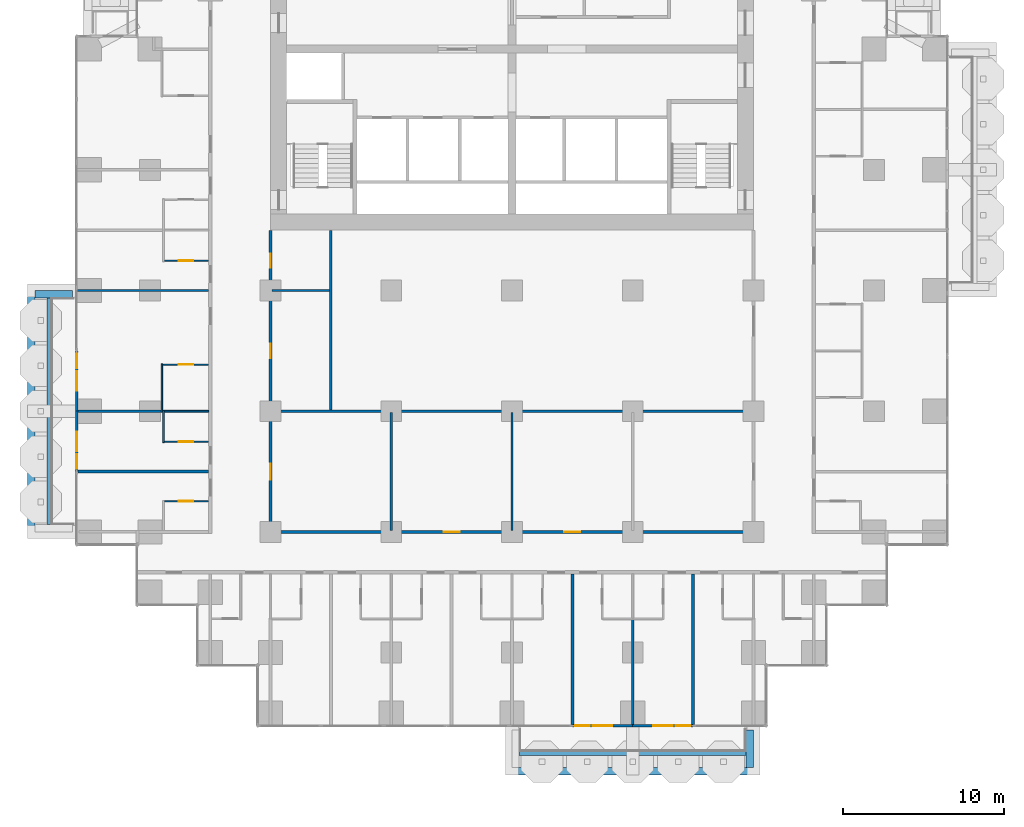
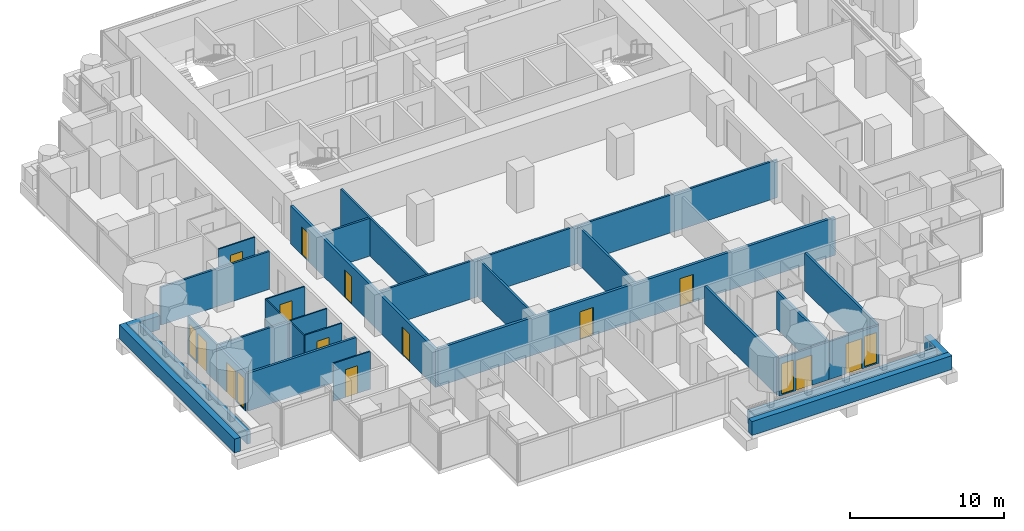
# One storey, part 12 of 19: 30 walls, 13 doors, 4 windows, 17 openings.
"""IFC4 building model written with IfcOpenShell, lengths in metres."""

from ifc_helpers import new_model, si_unit, direction, frame, frame_2d, origin, place, context, subcontext, project, spatial, rectangle, extrude, material, layer, layer_set, type_object, element, fill, save


model = new_model("IFC4")

# Units and contexts
model_context = context("Model", 3, precision=1e-05, world=origin(), true_north=direction((0.0, 1.0)))
body_context = subcontext(model_context, "Body", "Model", "MODEL_VIEW")
ifc_project = project(units=[si_unit("LENGTHUNIT", "METRE"), si_unit("AREAUNIT", "SQUARE_METRE"), si_unit("VOLUMEUNIT", "CUBIC_METRE"), si_unit("PLANEANGLEUNIT", "RADIAN"), si_unit("MASSUNIT", "GRAM", prefix="KILO")], contexts=[model_context])

# Site, building, storey
site_placement = place(None, origin())
site = spatial("IfcSite", under=ifc_project, at=site_placement, CompositionType="ELEMENT")
building_placement = place(site_placement, origin())
building = spatial("IfcBuilding", under=site, at=building_placement, Name="Pilkhan Gate Tower", CompositionType="ELEMENT")
storey_placement = place(building_placement, frame((0.0, 0.0, 65.89990234375)))
storey = spatial("IfcBuildingStorey", under=building, at=storey_placement, Name="L14", CompositionType="ELEMENT", Elevation=65.89990234375)

# Walls
ifc_material_1 = material(Name="Dense blockwork", Category="masonry")
ifc_layer_1 = layer(ifc_material_1, 0.175048828125)
ifc_layer_set_1 = layer_set([ifc_layer_1], Name="Acoustic party wall PW175")
wall_type_1 = type_object("IfcWallType", Name="Acoustic party wall PW175", PredefinedType="PARTITIONING", material=ifc_layer_set_1)
wall_1_placement = place(storey_placement, frame((48.0400390625, 56.25, 0.0), z_axis=(0.0, 0.0, 1.0), x_axis=(1.0, 0.0, 0.0)))
element("IfcWall", 1, at=wall_1_placement, inside=storey, type_object=wall_type_1, Name="Partition L14", PredefinedType="PARTITIONING", context=body_context, shape_type="SweptSolid", body=[
    extrude(rectangle(XDim=8.10986328125, YDim=0.175048828125, at=frame_2d((4.054931640625, 0.0))), origin(), (0.0, 0.0, 1.0), 3.0),
])
wall_2_placement = place(storey_placement, frame((78.75, 40.5400390625, 0.0), z_axis=(0.0, 0.0, 1.0), x_axis=(0.0, 1.0, 0.0)))
element("IfcWall", 2, at=wall_2_placement, inside=storey, type_object=wall_type_1, Name="Partition L14", PredefinedType="PARTITIONING", context=body_context, shape_type="SweptSolid", body=[
    extrude(rectangle(XDim=9.35986328125, YDim=0.175048828125, at=frame_2d((4.679931640625, 0.0))), origin(), (0.0, 0.0, 1.0), 3.0),
])
wall_3_placement = place(storey_placement, frame((82.5, 40.5400390625, 0.0), z_axis=(0.0, 0.0, 1.0), x_axis=(0.0, 1.0, 0.0)))
element("IfcWall", 3, at=wall_3_placement, inside=storey, type_object=wall_type_1, Name="Partition L14", PredefinedType="PARTITIONING", context=body_context, shape_type="SweptSolid", body=[
    extrude(rectangle(XDim=6.510009765625, YDim=0.175048828125, at=frame_2d((3.2548828125, 0.0))), origin(), (0.0, 0.0, 1.0), 3.0),
])
wall_4_placement = place(storey_placement, frame((86.25, 40.5400390625, 0.0), z_axis=(0.0, 0.0, 1.0), x_axis=(0.0, 1.0, 0.0)))
element("IfcWall", 4, at=wall_4_placement, inside=storey, type_object=wall_type_1, Name="Partition L14", PredefinedType="PARTITIONING", context=body_context, shape_type="SweptSolid", body=[
    extrude(rectangle(XDim=9.35986328125, YDim=0.175048828125, at=frame_2d((4.679931640625, 0.0))), origin(), (0.0, 0.0, 1.0), 3.0),
])
ifc_material_2 = material(Name="Concrete C40/50", Category="concrete")
ifc_layer_2 = layer(ifc_material_2, 0.25)
ifc_layer_set_2 = layer_set([ifc_layer_2], Name="Balcony planter BP250")
wall_type_2 = type_object("IfcWallType", Name="Balcony planter BP250", PredefinedType="USERDEFINED", material=ifc_layer_set_2)
for number, where, z_axis, x_axis, name in (
    (5, (75.449951171875, 38.72509765625, 0.0), (0.0, 0.0, 1.0), (1.0, 0.0, 0.0), "Balcony planter L14 S"),
    (6, (46.22509765625, 52.949951171875, 0.0), (0.0, 0.0, 1.0), (0.0, 1.0, 0.0), "Balcony planter L14 W"),
):
    element("IfcWall", number, at=place(storey_placement, frame(where, z_axis=z_axis, x_axis=x_axis)), inside=storey, type_object=wall_type_2, Name=name, ObjectType="BALCONY PLANTER", PredefinedType="USERDEFINED", context=body_context, shape_type="SweptSolid", body=[
        extrude(rectangle(XDim=14.10009765625, YDim=0.25, at=frame_2d((7.050048828125, 0.0))), origin(), (0.0, 0.0, 1.0), 1.0),
    ])
ifc_material_3 = material(Name="Board-marked Concrete C40/50", Category="concrete")
ifc_layer_3 = layer(ifc_material_3, 0.449951171875)
ifc_layer_set_3 = layer_set([ifc_layer_3], Name="Balcony planter lip BL450")
wall_type_3 = type_object("IfcWallType", Name="Balcony planter lip BL450", PredefinedType="USERDEFINED", material=ifc_layer_set_3)
wall_5_placement = place(storey_placement, frame((75.0, 37.625, 0.0), z_axis=(0.0, 0.0, 1.0), x_axis=(1.0, 0.0, 0.0)))
element("IfcWall", 7, at=wall_5_placement, inside=storey, type_object=wall_type_3, Name="Balcony planter L14 S", ObjectType="BALCONY PLANTER", PredefinedType="USERDEFINED", context=body_context, shape_type="SweptSolid", body=[
    extrude(rectangle(XDim=15.0, YDim=0.449951171875, at=frame_2d((7.5, 0.0))), origin(), (0.0, 0.0, 1.0), 1.10009765625),
])
wall_6_placement = place(storey_placement, frame((89.77490234375, 40.199951171875, 0.0), z_axis=(0.0, 0.0, 1.0), x_axis=(0.0, -1.0, 0.0)))
element("IfcWall", 8, at=wall_6_placement, inside=storey, type_object=wall_type_3, Name="Balcony planter L14 S", ObjectType="BALCONY PLANTER", PredefinedType="USERDEFINED", context=body_context, shape_type="SweptSolid", body=[
    extrude(rectangle(XDim=2.349853515625, YDim=0.449951171875, at=frame_2d((1.1748046875, 0.0))), origin(), (0.0, 0.0, 1.0), 1.10009765625),
])
wall_7_placement = place(storey_placement, frame((45.125, 52.5, 0.0), z_axis=(0.0, 0.0, 1.0), x_axis=(0.0, 1.0, 0.0)))
element("IfcWall", 9, at=wall_7_placement, inside=storey, type_object=wall_type_3, Name="Balcony planter L14 W", ObjectType="BALCONY PLANTER", PredefinedType="USERDEFINED", context=body_context, shape_type="SweptSolid", body=[
    extrude(rectangle(XDim=15.0, YDim=0.449951171875, at=frame_2d((7.5, 0.0))), origin(), (0.0, 0.0, 1.0), 1.10009765625),
])
wall_8_placement = place(storey_placement, frame((47.699951171875, 67.27490234375, 0.0), z_axis=(0.0, 0.0, 1.0), x_axis=(-1.0, 0.0, 0.0)))
element("IfcWall", 10, at=wall_8_placement, inside=storey, type_object=wall_type_3, Name="Balcony planter L14 W", ObjectType="BALCONY PLANTER", PredefinedType="USERDEFINED", context=body_context, shape_type="SweptSolid", body=[
    extrude(rectangle(XDim=2.349853515625, YDim=0.449951171875, at=frame_2d((1.1748046875, 0.0))), origin(), (0.0, 0.0, 1.0), 1.10009765625),
])

# Wall, openings, doors
ifc_layer_4 = layer(ifc_material_1, 0.199951171875)
ifc_layer_set_4 = layer_set([ifc_layer_4], Name="Corridor wall FW200")
wall_type_4 = type_object("IfcWallType", Name="Corridor wall FW200", PredefinedType="PARTITIONING", material=ifc_layer_set_4)
wall_9_placement = place(storey_placement, frame((60.10009765625, 52.5, 0.0), z_axis=(0.0, 0.0, 1.0), x_axis=(1.0, 0.0, 0.0)))
wall_9 = element("IfcWall", 11, at=wall_9_placement, inside=storey, type_object=wall_type_4, Name="Partition L14", PredefinedType="PARTITIONING", context=body_context, shape_type="SweptSolid", body=[
    extrude(rectangle(XDim=29.7998046875, YDim=0.199951171875, at=frame_2d((14.89990234375, 0.0))), origin(), (0.0, 0.0, 1.0), 3.0),
])
opening_1_placement = place(wall_9_placement, frame((10.64990234375, 0.0, 0.0)))
opening_1 = element("IfcOpeningElement", 12, at=opening_1_placement, cuts=wall_9, Name="Opening L14-59", PredefinedType="OPENING", context=body_context, shape_type="SweptSolid", body=[
    extrude(rectangle(XDim=1.0, YDim=2.199951171875, at=frame_2d((0.5, 1.10009765625))), frame((0.0, 0.10986328125, 0.0), z_axis=(0.0, -1.0, 0.0), x_axis=(1.0, 0.0, 0.0)), (0.0, 0.0, 1.0), 0.219970703125),
])
opening_2_placement = place(wall_9_placement, frame((18.14990234375, 0.0, 0.0)))
opening_2 = element("IfcOpeningElement", 13, at=opening_2_placement, cuts=wall_9, Name="Opening L14-60", PredefinedType="OPENING", context=body_context, shape_type="SweptSolid", body=[
    extrude(rectangle(XDim=1.0, YDim=2.199951171875, at=frame_2d((0.5, 1.10009765625))), frame((0.0, 0.10986328125, 0.0), z_axis=(0.0, -1.0, 0.0), x_axis=(1.0, 0.0, 0.0)), (0.0, 0.0, 1.0), 0.219970703125),
])
ifc_material_4 = material(Name="Timber flush door, 30 minute fire resisting", Category="wood")
door_type_1 = type_object("IfcDoorType", Name="Room door D03 1000x2200", OperationType="SINGLE_SWING_LEFT", PredefinedType="DOOR", material=ifc_material_4)
door_1_placement = place(opening_1_placement, origin())
door_1 = element("IfcDoor", 14, at=door_1_placement, inside=storey, type_object=door_type_1, Name="Room door", OperationType="SINGLE_SWING_LEFT", OverallHeight=2.199951171875, OverallWidth=1.0, PredefinedType="DOOR", context=body_context, shape_type="SweptSolid", body=[
    extrude(rectangle(XDim=1.0, YDim=2.199951171875, at=frame_2d((0.5, 1.10009765625))), frame((0.0, 0.02490234375, 0.0), z_axis=(0.0, -1.0, 0.0), x_axis=(1.0, 0.0, 0.0)), (0.0, 0.0, 1.0), 0.050048828125),
])
fill(opening_1, door_1)
door_2_placement = place(opening_2_placement, origin())
door_2 = element("IfcDoor", 15, at=door_2_placement, inside=storey, type_object=door_type_1, Name="Room door", OperationType="SINGLE_SWING_RIGHT", OverallHeight=2.199951171875, OverallWidth=1.0, PredefinedType="DOOR", context=body_context, shape_type="SweptSolid", body=[
    extrude(rectangle(XDim=1.0, YDim=2.199951171875, at=frame_2d((0.5, 1.10009765625))), frame((0.0, 0.02490234375, 0.0), z_axis=(0.0, -1.0, 0.0), x_axis=(1.0, 0.0, 0.0)), (0.0, 0.0, 1.0), 0.050048828125),
])
fill(opening_2, door_2)

wall_10_placement = place(storey_placement, frame((60.0, 52.39990234375, 0.0), z_axis=(0.0, 0.0, 1.0), x_axis=(0.0, 1.0, 0.0)))
wall_10 = element("IfcWall", 16, at=wall_10_placement, inside=storey, type_object=wall_type_4, Name="Partition L14", PredefinedType="PARTITIONING", context=body_context, shape_type="SweptSolid", body=[
    extrude(rectangle(XDim=18.840087890625, YDim=0.199951171875, at=frame_2d((9.419921875, 0.0))), origin(), (0.0, 0.0, 1.0), 3.0),
])
opening_3_placement = place(wall_10_placement, frame((3.35009765625, 0.0, 0.0)))
opening_3 = element("IfcOpeningElement", 17, at=opening_3_placement, cuts=wall_10, Name="Opening L14-58", PredefinedType="OPENING", context=body_context, shape_type="SweptSolid", body=[
    extrude(rectangle(XDim=1.0, YDim=2.199951171875, at=frame_2d((0.5, 1.10009765625))), frame((0.0, 0.10986328125, 0.0), z_axis=(0.0, -1.0, 0.0), x_axis=(1.0, 0.0, 0.0)), (0.0, 0.0, 1.0), 0.219970703125),
])
opening_4_placement = place(wall_10_placement, frame((10.89990234375, 0.0, 0.0)))
opening_4 = element("IfcOpeningElement", 18, at=opening_4_placement, cuts=wall_10, Name="Opening L14-62", PredefinedType="OPENING", context=body_context, shape_type="SweptSolid", body=[
    extrude(rectangle(XDim=0.89990234375, YDim=2.199951171875, at=frame_2d((0.449951171875, 1.10009765625))), frame((0.0, 0.10986328125, 0.0), z_axis=(0.0, -1.0, 0.0), x_axis=(1.0, 0.0, 0.0)), (0.0, 0.0, 1.0), 0.219970703125),
])
opening_5_placement = place(wall_10_placement, frame((16.5, 0.0, 0.0)))
opening_5 = element("IfcOpeningElement", 19, at=opening_5_placement, cuts=wall_10, Name="Opening L14-63", PredefinedType="OPENING", context=body_context, shape_type="SweptSolid", body=[
    extrude(rectangle(XDim=0.89990234375, YDim=2.199951171875, at=frame_2d((0.449951171875, 1.10009765625))), frame((0.0, 0.10986328125, 0.0), z_axis=(0.0, -1.0, 0.0), x_axis=(1.0, 0.0, 0.0)), (0.0, 0.0, 1.0), 0.219970703125),
])
door_3_placement = place(opening_3_placement, origin())
door_3 = element("IfcDoor", 20, at=door_3_placement, inside=storey, type_object=door_type_1, Name="Room door", OperationType="SINGLE_SWING_LEFT", OverallHeight=2.199951171875, OverallWidth=1.0, PredefinedType="DOOR", context=body_context, shape_type="SweptSolid", body=[
    extrude(rectangle(XDim=1.0, YDim=2.199951171875, at=frame_2d((0.5, 1.10009765625))), frame((0.0, 0.02490234375, 0.0), z_axis=(0.0, -1.0, 0.0), x_axis=(1.0, 0.0, 0.0)), (0.0, 0.0, 1.0), 0.050048828125),
])
fill(opening_3, door_3)
ifc_material_5 = material(Name="Timber flush door, 60 minute fire resisting, self-closing", Category="wood")
door_type_2 = type_object("IfcDoorType", Name="Store door D05 900x2200", OperationType="SINGLE_SWING_LEFT", PredefinedType="DOOR", material=ifc_material_5)
door_4_placement = place(opening_4_placement, origin())
door_4 = element("IfcDoor", 21, at=door_4_placement, inside=storey, type_object=door_type_2, Name="Store door", OperationType="SINGLE_SWING_LEFT", OverallHeight=2.199951171875, OverallWidth=0.89990234375, PredefinedType="DOOR", context=body_context, shape_type="SweptSolid", body=[
    extrude(rectangle(XDim=0.89990234375, YDim=2.199951171875, at=frame_2d((0.449951171875, 1.10009765625))), frame((0.0, 0.02490234375, 0.0), z_axis=(0.0, -1.0, 0.0), x_axis=(1.0, 0.0, 0.0)), (0.0, 0.0, 1.0), 0.050048828125),
])
fill(opening_4, door_4)
door_5_placement = place(opening_5_placement, origin())
door_5 = element("IfcDoor", 22, at=door_5_placement, inside=storey, type_object=door_type_2, Name="Store door", OperationType="SINGLE_SWING_LEFT", OverallHeight=2.199951171875, OverallWidth=0.89990234375, PredefinedType="DOOR", context=body_context, shape_type="SweptSolid", body=[
    extrude(rectangle(XDim=0.89990234375, YDim=2.199951171875, at=frame_2d((0.449951171875, 1.10009765625))), frame((0.0, 0.02490234375, 0.0), z_axis=(0.0, -1.0, 0.0), x_axis=(1.0, 0.0, 0.0)), (0.0, 0.0, 1.0), 0.050048828125),
])
fill(opening_5, door_5)

# Wall, openings, door, window
ifc_material_6 = material(Name="Pale anodised aluminium, clear laminated glazing", Category="aluminium")
ifc_layer_5 = layer(ifc_material_6, 0.14990234375)
ifc_layer_set_5 = layer_set([ifc_layer_5], Name="Facade infill wall IW150")
wall_type_5 = type_object("IfcWallType", Name="Facade infill wall IW150", PredefinedType="SOLIDWALL", material=ifc_layer_set_5)
wall_11_placement = place(storey_placement, frame((47.955078125, 56.25, 0.0), z_axis=(0.0, 0.0, 1.0), x_axis=(0.0, 1.0, 0.0)))
wall_11 = element("IfcWall", 23, at=wall_11_placement, inside=storey, type_object=wall_type_5, Name="Infill wall L14 W", PredefinedType="SOLIDWALL", context=body_context, shape_type="SweptSolid", body=[
    extrude(rectangle(XDim=3.75, YDim=0.14990234375, at=frame_2d((1.875, 0.0))), origin(), (0.0, 0.0, 1.0), 3.0),
])
opening_6_placement = place(wall_11_placement, frame((0.1875, 0.0, 0.10009765625)))
opening_6 = element("IfcOpeningElement", 24, at=opening_6_placement, cuts=wall_11, Name="Opening W1", PredefinedType="OPENING", context=body_context, shape_type="SweptSolid", body=[
    extrude(rectangle(XDim=0.89990234375, YDim=2.39990234375, at=frame_2d((0.449951171875, 1.199951171875))), frame((0.0, 0.0849609375, 0.0), z_axis=(0.0, -1.0, 0.0), x_axis=(1.0, 0.0, 0.0)), (0.0, 0.0, 1.0), 0.169921875),
])
opening_7_placement = place(wall_11_placement, frame((1.27490234375, 0.0, 0.0)))
opening_7 = element("IfcOpeningElement", 25, at=opening_7_placement, cuts=wall_11, Name="Opening D1", PredefinedType="OPENING", context=body_context, shape_type="SweptSolid", body=[
    extrude(rectangle(XDim=1.199951171875, YDim=2.39990234375, at=frame_2d((0.60009765625, 1.199951171875))), frame((0.0, 0.0849609375, 0.0), z_axis=(0.0, -1.0, 0.0), x_axis=(1.0, 0.0, 0.0)), (0.0, 0.0, 1.0), 0.169921875),
])
ifc_material_7 = material(Name="Pale anodised aluminium, clear glazing", Category="aluminium")
door_type_3 = type_object("IfcDoorType", Name="Balcony door D1 1200x2400", OperationType="SINGLE_SWING_LEFT", PredefinedType="DOOR", material=ifc_material_7)
door_6_placement = place(opening_7_placement, origin())
door_6 = element("IfcDoor", 26, at=door_6_placement, inside=storey, type_object=door_type_3, Name="Balcony door L14", OperationType="SINGLE_SWING_LEFT", OverallHeight=2.39990234375, OverallWidth=1.199951171875, PredefinedType="DOOR", context=body_context, shape_type="SweptSolid", body=[
    extrude(rectangle(XDim=1.199951171875, YDim=2.39990234375, at=frame_2d((0.60009765625, 1.199951171875))), frame((0.0, 0.02490234375, 0.0), z_axis=(0.0, -1.0, 0.0), x_axis=(1.0, 0.0, 0.0)), (0.0, 0.0, 1.0), 0.050048828125),
])
fill(opening_7, door_6)
ifc_material_8 = material(Name="Pale anodised aluminium, clear double glazing", Category="aluminium")
window_type = type_object("IfcWindowType", Name="Window W1 900x2400", PartitioningType="SINGLE_PANEL", PredefinedType="WINDOW", material=ifc_material_8)
window_1_placement = place(opening_6_placement, origin())
window_1 = element("IfcWindow", 27, at=window_1_placement, inside=storey, type_object=window_type, Name="Window L14", OverallHeight=2.39990234375, OverallWidth=0.89990234375, PartitioningType="SINGLE_PANEL", PredefinedType="WINDOW", context=body_context, shape_type="SweptSolid", body=[
    extrude(rectangle(XDim=0.89990234375, YDim=2.39990234375, at=frame_2d((0.449951171875, 1.199951171875))), frame((0.0, 0.030029296875, 0.0), z_axis=(0.0, -1.0, 0.0), x_axis=(1.0, 0.0, 0.0)), (0.0, 0.0, 1.0), 0.06005859375),
])
fill(opening_6, window_1)

wall_12_placement = place(storey_placement, frame((47.955078125, 60.0, 0.0), z_axis=(0.0, 0.0, 1.0), x_axis=(0.0, 1.0, 0.0)))
wall_12 = element("IfcWall", 28, at=wall_12_placement, inside=storey, type_object=wall_type_5, Name="Infill wall L14 W", PredefinedType="SOLIDWALL", context=body_context, shape_type="SweptSolid", body=[
    extrude(rectangle(XDim=3.75, YDim=0.14990234375, at=frame_2d((1.875, 0.0))), origin(), (0.0, 0.0, 1.0), 3.0),
])
opening_8_placement = place(wall_12_placement, frame((1.27490234375, 0.0, 0.0)))
opening_8 = element("IfcOpeningElement", 29, at=opening_8_placement, cuts=wall_12, Name="Opening D1", PredefinedType="OPENING", context=body_context, shape_type="SweptSolid", body=[
    extrude(rectangle(XDim=1.199951171875, YDim=2.39990234375, at=frame_2d((0.60009765625, 1.199951171875))), frame((0.0, 0.0849609375, 0.0), z_axis=(0.0, -1.0, 0.0), x_axis=(1.0, 0.0, 0.0)), (0.0, 0.0, 1.0), 0.169921875),
])
opening_9_placement = place(wall_12_placement, frame((2.66259765625, 0.0, 0.10009765625)))
opening_9 = element("IfcOpeningElement", 30, at=opening_9_placement, cuts=wall_12, Name="Opening W1", PredefinedType="OPENING", context=body_context, shape_type="SweptSolid", body=[
    extrude(rectangle(XDim=0.89990234375, YDim=2.39990234375, at=frame_2d((0.449951171875, 1.199951171875))), frame((0.0, 0.0849609375, 0.0), z_axis=(0.0, -1.0, 0.0), x_axis=(1.0, 0.0, 0.0)), (0.0, 0.0, 1.0), 0.169921875),
])
door_7_placement = place(opening_8_placement, origin())
door_7 = element("IfcDoor", 31, at=door_7_placement, inside=storey, type_object=door_type_3, Name="Balcony door L14", OperationType="SINGLE_SWING_LEFT", OverallHeight=2.39990234375, OverallWidth=1.199951171875, PredefinedType="DOOR", context=body_context, shape_type="SweptSolid", body=[
    extrude(rectangle(XDim=1.199951171875, YDim=2.39990234375, at=frame_2d((0.60009765625, 1.199951171875))), frame((0.0, 0.02490234375, 0.0), z_axis=(0.0, -1.0, 0.0), x_axis=(1.0, 0.0, 0.0)), (0.0, 0.0, 1.0), 0.050048828125),
])
fill(opening_8, door_7)
window_2_placement = place(opening_9_placement, origin())
window_2 = element("IfcWindow", 32, at=window_2_placement, inside=storey, type_object=window_type, Name="Window L14", OverallHeight=2.39990234375, OverallWidth=0.89990234375, PartitioningType="SINGLE_PANEL", PredefinedType="WINDOW", context=body_context, shape_type="SweptSolid", body=[
    extrude(rectangle(XDim=0.89990234375, YDim=2.39990234375, at=frame_2d((0.449951171875, 1.199951171875))), frame((0.0, 0.030029296875, 0.0), z_axis=(0.0, -1.0, 0.0), x_axis=(1.0, 0.0, 0.0)), (0.0, 0.0, 1.0), 0.06005859375),
])
fill(opening_9, window_2)

wall_13_placement = place(storey_placement, frame((78.75, 40.455078125, 0.0), z_axis=(0.0, 0.0, 1.0), x_axis=(1.0, 0.0, 0.0)))
wall_13 = element("IfcWall", 33, at=wall_13_placement, inside=storey, type_object=wall_type_5, Name="Infill wall L14 S", PredefinedType="SOLIDWALL", context=body_context, shape_type="SweptSolid", body=[
    extrude(rectangle(XDim=3.75, YDim=0.14990234375, at=frame_2d((1.875, 0.0))), origin(), (0.0, 0.0, 1.0), 3.0),
])
opening_10_placement = place(wall_13_placement, frame((0.1875, 0.0, 0.10009765625)))
opening_10 = element("IfcOpeningElement", 34, at=opening_10_placement, cuts=wall_13, Name="Opening W1", PredefinedType="OPENING", context=body_context, shape_type="SweptSolid", body=[
    extrude(rectangle(XDim=0.89990234375, YDim=2.39990234375, at=frame_2d((0.449951171875, 1.199951171875))), frame((0.0, 0.0849609375, 0.0), z_axis=(0.0, -1.0, 0.0), x_axis=(1.0, 0.0, 0.0)), (0.0, 0.0, 1.0), 0.169921875),
])
opening_11_placement = place(wall_13_placement, frame((1.27490234375, 0.0, 0.0)))
opening_11 = element("IfcOpeningElement", 35, at=opening_11_placement, cuts=wall_13, Name="Opening D1", PredefinedType="OPENING", context=body_context, shape_type="SweptSolid", body=[
    extrude(rectangle(XDim=1.199951171875, YDim=2.39990234375, at=frame_2d((0.60009765625, 1.199951171875))), frame((0.0, 0.0849609375, 0.0), z_axis=(0.0, -1.0, 0.0), x_axis=(1.0, 0.0, 0.0)), (0.0, 0.0, 1.0), 0.169921875),
])
door_8_placement = place(opening_11_placement, origin())
door_8 = element("IfcDoor", 36, at=door_8_placement, inside=storey, type_object=door_type_3, Name="Balcony door L14", OperationType="SINGLE_SWING_LEFT", OverallHeight=2.39990234375, OverallWidth=1.199951171875, PredefinedType="DOOR", context=body_context, shape_type="SweptSolid", body=[
    extrude(rectangle(XDim=1.199951171875, YDim=2.39990234375, at=frame_2d((0.60009765625, 1.199951171875))), frame((0.0, 0.02490234375, 0.0), z_axis=(0.0, -1.0, 0.0), x_axis=(1.0, 0.0, 0.0)), (0.0, 0.0, 1.0), 0.050048828125),
])
fill(opening_11, door_8)
window_3_placement = place(opening_10_placement, origin())
window_3 = element("IfcWindow", 37, at=window_3_placement, inside=storey, type_object=window_type, Name="Window L14", OverallHeight=2.39990234375, OverallWidth=0.89990234375, PartitioningType="SINGLE_PANEL", PredefinedType="WINDOW", context=body_context, shape_type="SweptSolid", body=[
    extrude(rectangle(XDim=0.89990234375, YDim=2.39990234375, at=frame_2d((0.449951171875, 1.199951171875))), frame((0.0, 0.030029296875, 0.0), z_axis=(0.0, -1.0, 0.0), x_axis=(1.0, 0.0, 0.0)), (0.0, 0.0, 1.0), 0.06005859375),
])
fill(opening_10, window_3)

wall_14_placement = place(storey_placement, frame((82.5, 40.455078125, 0.0), z_axis=(0.0, 0.0, 1.0), x_axis=(1.0, 0.0, 0.0)))
wall_14 = element("IfcWall", 38, at=wall_14_placement, inside=storey, type_object=wall_type_5, Name="Infill wall L14 S", PredefinedType="SOLIDWALL", context=body_context, shape_type="SweptSolid", body=[
    extrude(rectangle(XDim=3.75, YDim=0.14990234375, at=frame_2d((1.875, 0.0))), origin(), (0.0, 0.0, 1.0), 3.0),
])
opening_12_placement = place(wall_14_placement, frame((1.27490234375, 0.0, 0.0)))
opening_12 = element("IfcOpeningElement", 39, at=opening_12_placement, cuts=wall_14, Name="Opening D1", PredefinedType="OPENING", context=body_context, shape_type="SweptSolid", body=[
    extrude(rectangle(XDim=1.199951171875, YDim=2.39990234375, at=frame_2d((0.60009765625, 1.199951171875))), frame((0.0, 0.0849609375, 0.0), z_axis=(0.0, -1.0, 0.0), x_axis=(1.0, 0.0, 0.0)), (0.0, 0.0, 1.0), 0.169921875),
])
opening_13_placement = place(wall_14_placement, frame((2.66259765625, 0.0, 0.10009765625)))
opening_13 = element("IfcOpeningElement", 40, at=opening_13_placement, cuts=wall_14, Name="Opening W1", PredefinedType="OPENING", context=body_context, shape_type="SweptSolid", body=[
    extrude(rectangle(XDim=0.89990234375, YDim=2.39990234375, at=frame_2d((0.449951171875, 1.199951171875))), frame((0.0, 0.0849609375, 0.0), z_axis=(0.0, -1.0, 0.0), x_axis=(1.0, 0.0, 0.0)), (0.0, 0.0, 1.0), 0.169921875),
])
door_9_placement = place(opening_12_placement, origin())
door_9 = element("IfcDoor", 41, at=door_9_placement, inside=storey, type_object=door_type_3, Name="Balcony door L14", OperationType="SINGLE_SWING_LEFT", OverallHeight=2.39990234375, OverallWidth=1.199951171875, PredefinedType="DOOR", context=body_context, shape_type="SweptSolid", body=[
    extrude(rectangle(XDim=1.199951171875, YDim=2.39990234375, at=frame_2d((0.60009765625, 1.199951171875))), frame((0.0, 0.02490234375, 0.0), z_axis=(0.0, -1.0, 0.0), x_axis=(1.0, 0.0, 0.0)), (0.0, 0.0, 1.0), 0.050048828125),
])
fill(opening_12, door_9)
window_4_placement = place(opening_13_placement, origin())
window_4 = element("IfcWindow", 42, at=window_4_placement, inside=storey, type_object=window_type, Name="Window L14", OverallHeight=2.39990234375, OverallWidth=0.89990234375, PartitioningType="SINGLE_PANEL", PredefinedType="WINDOW", context=body_context, shape_type="SweptSolid", body=[
    extrude(rectangle(XDim=0.89990234375, YDim=2.39990234375, at=frame_2d((0.449951171875, 1.199951171875))), frame((0.0, 0.030029296875, 0.0), z_axis=(0.0, -1.0, 0.0), x_axis=(1.0, 0.0, 0.0)), (0.0, 0.0, 1.0), 0.06005859375),
])
fill(opening_13, window_4)

# Walls
ifc_material_9 = material(Name="Blockwork partition, plastered both sides", Category="masonry")
ifc_layer_6 = layer(ifc_material_9, 0.14990234375)
ifc_layer_set_6 = layer_set([ifc_layer_6], Name="Partition PW150")
wall_type_6 = type_object("IfcWallType", Name="Partition PW150", PredefinedType="PARTITIONING", material=ifc_layer_set_6)
wall_15_placement = place(storey_placement, frame((48.0400390625, 60.0, 0.0), z_axis=(0.0, 0.0, 1.0), x_axis=(1.0, 0.0, 0.0)))
element("IfcWall", 43, at=wall_15_placement, inside=storey, type_object=wall_type_6, Name="Partition L14", PredefinedType="PARTITIONING", context=body_context, shape_type="SweptSolid", body=[
    extrude(rectangle(XDim=5.159912109375, YDim=0.14990234375, at=frame_2d((2.580078125, 0.0))), origin(), (0.0, 0.0, 1.0), 3.0),
])
wall_16_placement = place(storey_placement, frame((60.10009765625, 60.0, 0.0), z_axis=(0.0, 0.0, 1.0), x_axis=(1.0, 0.0, 0.0)))
element("IfcWall", 44, at=wall_16_placement, inside=storey, type_object=wall_type_6, Name="Partition L14", PredefinedType="PARTITIONING", context=body_context, shape_type="SweptSolid", body=[
    extrude(rectangle(XDim=29.7998046875, YDim=0.14990234375, at=frame_2d((14.89990234375, 0.0))), origin(), (0.0, 0.0, 1.0), 3.0),
])
wall_17_placement = place(storey_placement, frame((47.985107421875, 67.5, 0.0), z_axis=(0.0, 0.0, 1.0), x_axis=(1.0, 0.0, 0.0)))
element("IfcWall", 45, at=wall_17_placement, inside=storey, type_object=wall_type_6, Name="Partition L14", PredefinedType="PARTITIONING", context=body_context, shape_type="SweptSolid", body=[
    extrude(rectangle(XDim=8.164794921875, YDim=0.14990234375, at=frame_2d((4.08251953125, 0.0))), origin(), (0.0, 0.0, 1.0), 3.0),
])
wall_18_placement = place(storey_placement, frame((60.10009765625, 67.5, 0.0), z_axis=(0.0, 0.0, 1.0), x_axis=(1.0, 0.0, 0.0)))
element("IfcWall", 46, at=wall_18_placement, inside=storey, type_object=wall_type_6, Name="Partition L14", PredefinedType="PARTITIONING", context=body_context, shape_type="SweptSolid", body=[
    extrude(rectangle(XDim=3.574951171875, YDim=0.14990234375, at=frame_2d((1.78759765625, 0.0))), origin(), (0.0, 0.0, 1.0), 3.0),
])
wall_19_placement = place(storey_placement, frame((63.75, 60.074951171875, 0.0), z_axis=(0.0, 0.0, 1.0), x_axis=(0.0, 1.0, 0.0)))
element("IfcWall", 47, at=wall_19_placement, inside=storey, type_object=wall_type_6, Name="Partition L14", PredefinedType="PARTITIONING", context=body_context, shape_type="SweptSolid", body=[
    extrude(rectangle(XDim=11.1650390625, YDim=0.14990234375, at=frame_2d((5.58251953125, 0.0))), origin(), (0.0, 0.0, 1.0), 3.0),
])
for number, where, z_axis, x_axis, name in (
    (48, (67.5, 52.60009765625, 0.0), (0.0, 0.0, 1.0), (0.0, 1.0, 0.0), "Partition L14"),
    (49, (75.0, 52.60009765625, 0.0), (0.0, 0.0, 1.0), (0.0, 1.0, 0.0), "Partition L14"),
):
    element("IfcWall", number, at=place(storey_placement, frame(where, z_axis=z_axis, x_axis=x_axis)), inside=storey, type_object=wall_type_6, Name=name, PredefinedType="PARTITIONING", context=body_context, shape_type="SweptSolid", body=[
        extrude(rectangle(XDim=7.324951171875, YDim=0.14990234375, at=frame_2d((3.66259765625, 0.0))), origin(), (0.0, 0.0, 1.0), 3.0),
    ])

# Wall, opening, door
ifc_material_10 = material(Name="Moisture resistant board, tiled")
ifc_layer_7 = layer(ifc_material_10, 0.10009765625)
ifc_layer_set_7 = layer_set([ifc_layer_7], Name="Wet wall PW100")
wall_type_7 = type_object("IfcWallType", Name="Wet wall PW100", PredefinedType="PARTITIONING", material=ifc_layer_set_7)
wall_20_placement = place(storey_placement, frame((53.39990234375, 54.39990234375, 0.0), z_axis=(0.0, 0.0, 1.0), x_axis=(1.0, 0.0, 0.0)))
wall_20 = element("IfcWall", 50, at=wall_20_placement, inside=storey, type_object=wall_type_7, Name="Partition L14", PredefinedType="PARTITIONING", context=body_context, shape_type="SweptSolid", body=[
    extrude(rectangle(XDim=2.75, YDim=0.10009765625, at=frame_2d((1.375, 0.0))), origin(), (0.0, 0.0, 1.0), 3.0),
])
opening_14_placement = place(wall_20_placement, frame((0.89990234375, 0.0, 0.0)))
opening_14 = element("IfcOpeningElement", 51, at=opening_14_placement, cuts=wall_20, Name="Opening L14-27", PredefinedType="OPENING", context=body_context, shape_type="SweptSolid", body=[
    extrude(rectangle(XDim=0.89990234375, YDim=2.199951171875, at=frame_2d((0.449951171875, 1.10009765625))), frame((0.0, 0.06005859375, 0.0), z_axis=(0.0, -1.0, 0.0), x_axis=(1.0, 0.0, 0.0)), (0.0, 0.0, 1.0), 0.1201171875),
])
ifc_material_11 = material(Name="Timber flush door", Category="wood")
door_type_4 = type_object("IfcDoorType", Name="Bathroom door D02 900x2200", OperationType="SINGLE_SWING_RIGHT", PredefinedType="DOOR", material=ifc_material_11)
door_10_placement = place(opening_14_placement, origin())
door_10 = element("IfcDoor", 52, at=door_10_placement, inside=storey, type_object=door_type_4, Name="Bathroom door", OperationType="SINGLE_SWING_RIGHT", OverallHeight=2.199951171875, OverallWidth=0.89990234375, PredefinedType="DOOR", context=body_context, shape_type="SweptSolid", body=[
    extrude(rectangle(XDim=0.89990234375, YDim=2.199951171875, at=frame_2d((0.449951171875, 1.10009765625))), frame((0.0, 0.02490234375, 0.0), z_axis=(0.0, -1.0, 0.0), x_axis=(1.0, 0.0, 0.0)), (0.0, 0.0, 1.0), 0.050048828125),
])
fill(opening_14, door_10)

wall_21_placement = place(storey_placement, frame((53.39990234375, 58.10009765625, 0.0), z_axis=(0.0, 0.0, 1.0), x_axis=(1.0, 0.0, 0.0)))
wall_21 = element("IfcWall", 53, at=wall_21_placement, inside=storey, type_object=wall_type_7, Name="Partition L14", PredefinedType="PARTITIONING", context=body_context, shape_type="SweptSolid", body=[
    extrude(rectangle(XDim=2.75, YDim=0.10009765625, at=frame_2d((1.375, 0.0))), origin(), (0.0, 0.0, 1.0), 3.0),
])
opening_15_placement = place(wall_21_placement, frame((0.89990234375, 0.0, 0.0)))
opening_15 = element("IfcOpeningElement", 54, at=opening_15_placement, cuts=wall_21, Name="Opening L14-29", PredefinedType="OPENING", context=body_context, shape_type="SweptSolid", body=[
    extrude(rectangle(XDim=0.89990234375, YDim=2.199951171875, at=frame_2d((0.449951171875, 1.10009765625))), frame((0.0, 0.06005859375, 0.0), z_axis=(0.0, -1.0, 0.0), x_axis=(1.0, 0.0, 0.0)), (0.0, 0.0, 1.0), 0.1201171875),
])
door_11_placement = place(opening_15_placement, origin())
door_11 = element("IfcDoor", 55, at=door_11_placement, inside=storey, type_object=door_type_4, Name="Bathroom door", OperationType="SINGLE_SWING_RIGHT", OverallHeight=2.199951171875, OverallWidth=0.89990234375, PredefinedType="DOOR", context=body_context, shape_type="SweptSolid", body=[
    extrude(rectangle(XDim=0.89990234375, YDim=2.199951171875, at=frame_2d((0.449951171875, 1.10009765625))), frame((0.0, 0.02490234375, 0.0), z_axis=(0.0, -1.0, 0.0), x_axis=(1.0, 0.0, 0.0)), (0.0, 0.0, 1.0), 0.050048828125),
])
fill(opening_15, door_11)

# Wall
wall_22_placement = place(storey_placement, frame((53.39990234375, 60.0, 0.0), z_axis=(0.0, 0.0, 1.0), x_axis=(1.0, 0.0, 0.0)))
element("IfcWall", 56, at=wall_22_placement, inside=storey, type_object=wall_type_7, Name="Partition L14", PredefinedType="PARTITIONING", context=body_context, shape_type="SweptSolid", body=[
    extrude(rectangle(XDim=2.75, YDim=0.10009765625, at=frame_2d((1.375, 0.0))), origin(), (0.0, 0.0, 1.0), 3.0),
])

# Wall, opening, door
wall_23_placement = place(storey_placement, frame((53.300048828125, 62.89990234375, 0.0), z_axis=(0.0, 0.0, 1.0), x_axis=(1.0, 0.0, 0.0)))
wall_23 = element("IfcWall", 57, at=wall_23_placement, inside=storey, type_object=wall_type_7, Name="Partition L14", PredefinedType="PARTITIONING", context=body_context, shape_type="SweptSolid", body=[
    extrude(rectangle(XDim=2.849853515625, YDim=0.10009765625, at=frame_2d((1.4248046875, 0.0))), origin(), (0.0, 0.0, 1.0), 3.0),
])
opening_16_placement = place(wall_23_placement, frame((1.0, 0.0, 0.0)))
opening_16 = element("IfcOpeningElement", 58, at=opening_16_placement, cuts=wall_23, Name="Opening L14-31", PredefinedType="OPENING", context=body_context, shape_type="SweptSolid", body=[
    extrude(rectangle(XDim=0.89990234375, YDim=2.199951171875, at=frame_2d((0.449951171875, 1.10009765625))), frame((0.0, 0.06005859375, 0.0), z_axis=(0.0, -1.0, 0.0), x_axis=(1.0, 0.0, 0.0)), (0.0, 0.0, 1.0), 0.1201171875),
])
door_12_placement = place(opening_16_placement, origin())
door_12 = element("IfcDoor", 59, at=door_12_placement, inside=storey, type_object=door_type_4, Name="Bathroom door", OperationType="SINGLE_SWING_RIGHT", OverallHeight=2.199951171875, OverallWidth=0.89990234375, PredefinedType="DOOR", context=body_context, shape_type="SweptSolid", body=[
    extrude(rectangle(XDim=0.89990234375, YDim=2.199951171875, at=frame_2d((0.449951171875, 1.10009765625))), frame((0.0, 0.02490234375, 0.0), z_axis=(0.0, -1.0, 0.0), x_axis=(1.0, 0.0, 0.0)), (0.0, 0.0, 1.0), 0.050048828125),
])
fill(opening_16, door_12)

wall_24_placement = place(storey_placement, frame((53.39990234375, 69.35009765625, 0.0), z_axis=(0.0, 0.0, 1.0), x_axis=(1.0, 0.0, 0.0)))
wall_24 = element("IfcWall", 60, at=wall_24_placement, inside=storey, type_object=wall_type_7, Name="Partition L14", PredefinedType="PARTITIONING", context=body_context, shape_type="SweptSolid", body=[
    extrude(rectangle(XDim=2.75, YDim=0.10009765625, at=frame_2d((1.375, 0.0))), origin(), (0.0, 0.0, 1.0), 3.0),
])
opening_17_placement = place(wall_24_placement, frame((0.89990234375, 0.0, 0.0)))
opening_17 = element("IfcOpeningElement", 61, at=opening_17_placement, cuts=wall_24, Name="Opening L14-33", PredefinedType="OPENING", context=body_context, shape_type="SweptSolid", body=[
    extrude(rectangle(XDim=0.89990234375, YDim=2.199951171875, at=frame_2d((0.449951171875, 1.10009765625))), frame((0.0, 0.06005859375, 0.0), z_axis=(0.0, -1.0, 0.0), x_axis=(1.0, 0.0, 0.0)), (0.0, 0.0, 1.0), 0.1201171875),
])
door_13_placement = place(opening_17_placement, origin())
door_13 = element("IfcDoor", 62, at=door_13_placement, inside=storey, type_object=door_type_4, Name="Bathroom door", OperationType="SINGLE_SWING_RIGHT", OverallHeight=2.199951171875, OverallWidth=0.89990234375, PredefinedType="DOOR", context=body_context, shape_type="SweptSolid", body=[
    extrude(rectangle(XDim=0.89990234375, YDim=2.199951171875, at=frame_2d((0.449951171875, 1.10009765625))), frame((0.0, 0.02490234375, 0.0), z_axis=(0.0, -1.0, 0.0), x_axis=(1.0, 0.0, 0.0)), (0.0, 0.0, 1.0), 0.050048828125),
])
fill(opening_17, door_13)

# Walls
wall_25_placement = place(storey_placement, frame((53.25, 59.925048828125, 0.0), z_axis=(0.0, 0.0, 1.0), x_axis=(0.0, 1.0, 0.0)))
element("IfcWall", 63, at=wall_25_placement, inside=storey, type_object=wall_type_7, Name="Partition L14", PredefinedType="PARTITIONING", context=body_context, shape_type="SweptSolid", body=[
    extrude(rectangle(XDim=3.02490234375, YDim=0.10009765625, at=frame_2d((1.512451171875, 0.0))), origin(), (0.0, 0.0, 1.0), 3.0),
])
wall_26_placement = place(storey_placement, frame((53.35009765625, 58.050048828125, 0.0), z_axis=(0.0, 0.0, 1.0), x_axis=(0.0, 1.0, 0.0)))
element("IfcWall", 64, at=wall_26_placement, inside=storey, type_object=wall_type_7, Name="Partition L14", PredefinedType="PARTITIONING", context=body_context, shape_type="SweptSolid", body=[
    extrude(rectangle(XDim=2.0, YDim=0.10009765625, at=frame_2d((1.0, 0.0))), origin(), (0.0, 0.0, 1.0), 3.0),
])

save(model, "model.ifc")
